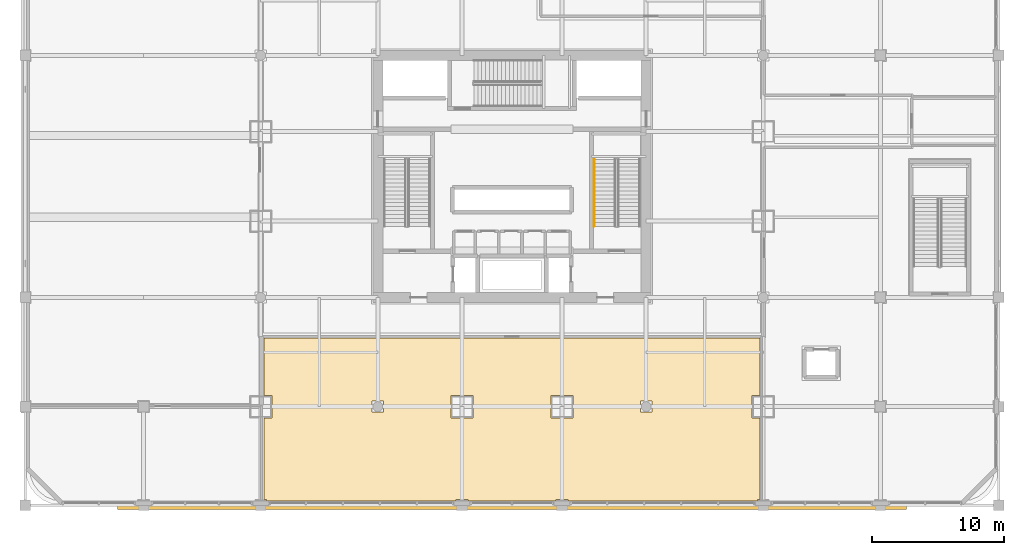
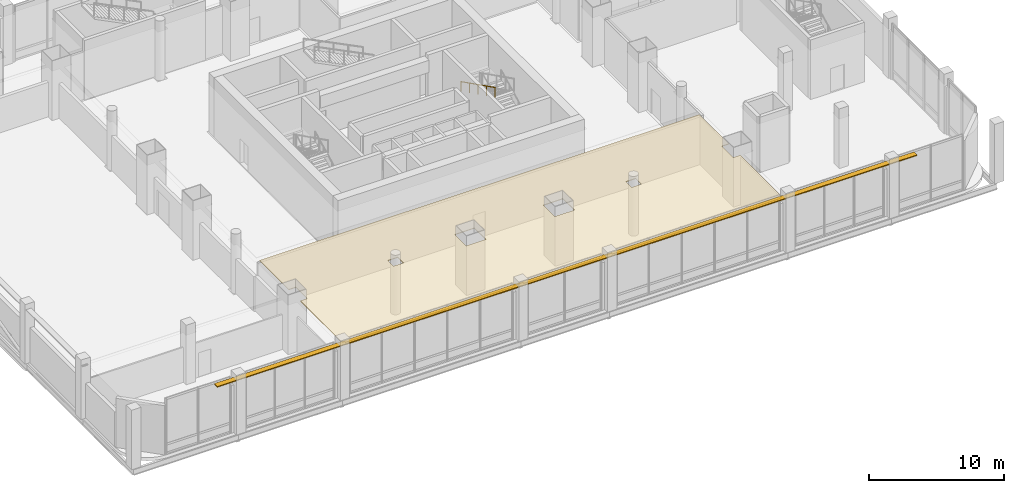
# One storey, part 28 of 35: 1 covering, 1 railing, 1 shading device.
"""IFC4 building model written with IfcOpenShell, lengths in metres."""

from ifc_helpers import new_model, si_unit, direction, frame, origin, origin_2d, place, context, subcontext, project, spatial, polyline, rectangle, circle, outline, extrude, material, layer, layer_set, material_profile, profile_set, type_object, element, save


model = new_model("IFC4")

# Units and contexts
model_context = context("Model", 3, precision=1e-05, world=origin(), true_north=direction((0.0, 1.0)))
body_context = subcontext(model_context, "Body", "Model", "MODEL_VIEW")
ifc_project = project(units=[si_unit("LENGTHUNIT", "METRE"), si_unit("AREAUNIT", "SQUARE_METRE"), si_unit("VOLUMEUNIT", "CUBIC_METRE"), si_unit("PLANEANGLEUNIT", "RADIAN"), si_unit("MASSUNIT", "GRAM", prefix="KILO")], contexts=[model_context])

# Site, building, storey
site_placement = place(None, origin())
site = spatial("IfcSite", under=ifc_project, at=site_placement, CompositionType="ELEMENT")
building_placement = place(site_placement, origin())
building = spatial("IfcBuilding", under=site, at=building_placement, Name="Punatoya Terracotta Tower", CompositionType="ELEMENT")
storey_placement = place(building_placement, frame((0.0, 0.0, 16.800048828125)))
storey = spatial("IfcBuildingStorey", under=building, at=storey_placement, Name="L03", CompositionType="ELEMENT", Elevation=16.800048828125)

# Covering
ifc_material_1 = material(Name="Acoustic Mineral Fibre Ceiling")
ifc_layer = layer(ifc_material_1, 0.06005859375)
ifc_layer_set = layer_set([ifc_layer], Name="Acoustic Mineral Fibre Ceiling")
covering_type = type_object("IfcCoveringType", Name="COV-CEIL-60", PredefinedType="CEILING", material=ifc_layer_set)
covering_placement = place(storey_placement, frame((0.0, 0.0, 4.5)))
element("IfcCovering", 1, at=covering_placement, inside=storey, type_object=covering_type, Name="L03 South Executive Directors' Office Suite Acoustic Ceiling", PredefinedType="CEILING", context=body_context, shape_type="SweptSolid", body=[
    extrude(outline(polyline([(4.25, -24.679931640625), (18.64990234375, -24.679931640625), (18.64990234375, -24.550048828125), (18.860107421875, -24.550048828125), (18.860107421875, -18.35009765625), (18.25, -18.35009765625), (18.25, -16.64990234375), (18.860107421875, -16.64990234375), (18.860107421875, -12.280029296875), (-18.860107421875, -12.280029296875), (-18.860107421875, -16.64990234375), (-18.25, -16.64990234375), (-18.25, -18.35009765625), (-18.860107421875, -18.35009765625), (-18.860107421875, -24.550048828125), (-18.64990234375, -24.550048828125), (-18.64990234375, -24.679931640625), (-4.25, -24.679931640625), (-4.25, -24.550048828125), (-3.35009765625, -24.550048828125), (-3.35009765625, -24.679931640625), (3.35009765625, -24.679931640625), (3.35009765625, -24.550048828125), (4.25, -24.550048828125), (4.25, -24.679931640625)]), holes=[polyline([(9.77490234375, -17.074951171875), (10.625, -17.074951171875), (10.625, -17.925048828125), (9.77490234375, -17.925048828125), (9.77490234375, -17.074951171875)]), polyline([(2.949951171875, -18.35009765625), (2.949951171875, -16.64990234375), (4.64990234375, -16.64990234375), (4.64990234375, -18.35009765625), (2.949951171875, -18.35009765625)]), polyline([(-2.949951171875, -18.35009765625), (-4.64990234375, -18.35009765625), (-4.64990234375, -16.64990234375), (-2.949951171875, -16.64990234375), (-2.949951171875, -18.35009765625)]), polyline([(-10.625, -17.925048828125), (-10.625, -17.074951171875), (-9.77490234375, -17.074951171875), (-9.77490234375, -17.925048828125), (-10.625, -17.925048828125)])]), origin(), (0.0, 0.0, 1.0), 0.06005859375),
])

# Railing
ifc_material_2 = material(Name="Steel S355", Category="steel")
railing_type = type_object("IfcRailingType", Name="RLG-HND-900", PredefinedType="HANDRAIL", material=ifc_material_2)
railing_placement = place(storey_placement, frame((6.25, 1.300048828125, 2.849853515625)))
element("IfcRailing", 2, at=railing_placement, inside=storey, type_object=railing_type, Name="L03 ST-2 stair handrail 2", PredefinedType="HANDRAIL", context=body_context, shape_type="SweptSolid", body=[
    extrude(circle(Radius=0.02392578125, at=origin_2d()), frame((0.0, 0.0, 0.8759765625), z_axis=(0.0, -0.894427191, 0.4472135955), x_axis=(1.0, 0.0, 0.0)), (0.0, 0.0, 1.0), 5.7021484375),
    extrude(circle(Radius=0.02099609375, at=origin_2d()), origin(), (0.0, 0.0, 1.0), 0.851806640625),
    extrude(circle(Radius=0.02099609375, at=origin_2d()), frame((0.0, -1.27490234375, 0.637451171875)), (0.0, 0.0, 1.0), 0.851806640625),
    extrude(circle(Radius=0.02099609375, at=origin_2d()), frame((0.0, -2.550048828125, 1.27490234375)), (0.0, 0.0, 1.0), 0.851806640625),
    extrude(circle(Radius=0.02099609375, at=origin_2d()), frame((0.0, -3.8251953125, 1.91259765625)), (0.0, 0.0, 1.0), 0.851806640625),
    extrude(circle(Radius=0.02099609375, at=origin_2d()), frame((0.0, -5.10009765625, 2.550048828125)), (0.0, 0.0, 1.0), 0.851806640625),
])

# Shading device
ifc_material_3 = material(Name="Architectural Fired Terracotta", Category="masonry")
ifc_material_profile = material_profile(ifc_material_3, rectangle(XDim=0.449951171875, YDim=0.080078125, at=origin_2d()))
ifc_profile_set = profile_set([ifc_material_profile], Name="Architectural Fired Terracotta")
shading_device_type = type_object("IfcShadingDeviceType", Name="SHD-CHAJ-450", PredefinedType="USERDEFINED", material=ifc_profile_set)
shading_device_placement = place(storey_placement, frame((-30.0, -25.090087890625, 4.869873046875), z_axis=(1.0, 0.0, 0.0), x_axis=(0.0, 1.0, 0.0)))
element("IfcShadingDevice", 3, at=shading_device_placement, inside=storey, type_object=shading_device_type, Name="L03 Projecting Terracotta Chhajja Sunshade 1", ObjectType="SUNSHADE", PredefinedType="USERDEFINED", context=body_context, shape_type="SweptSolid", body=[
    extrude(rectangle(XDim=0.449951171875, YDim=0.080078125, at=origin_2d()), origin(), (0.0, 0.0, 1.0), 60.0),
])

save(model, "model.ifc")
